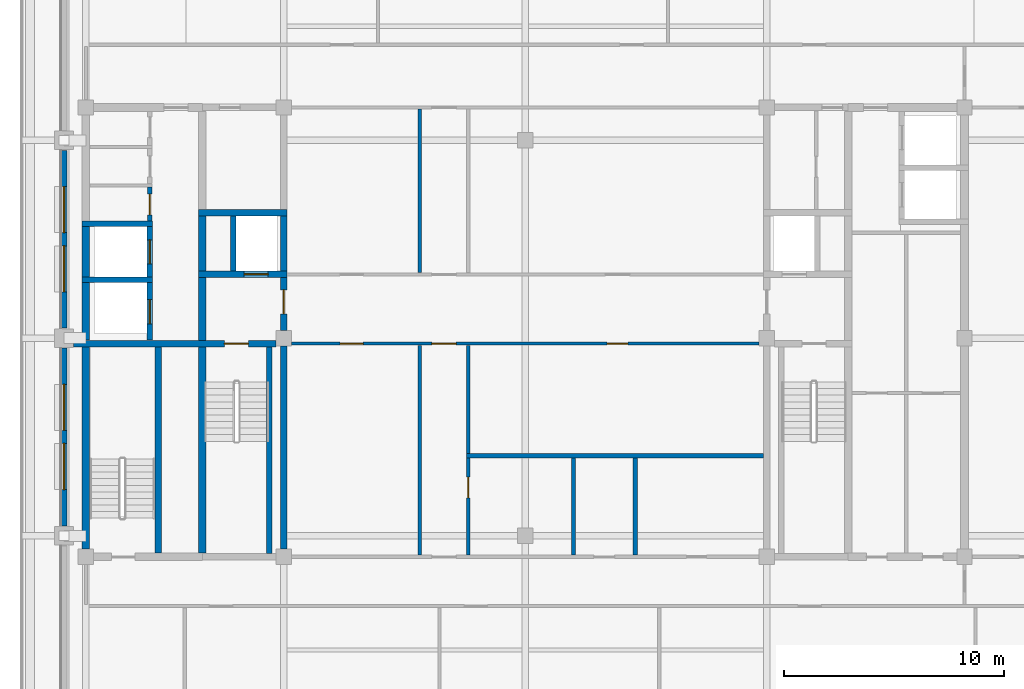
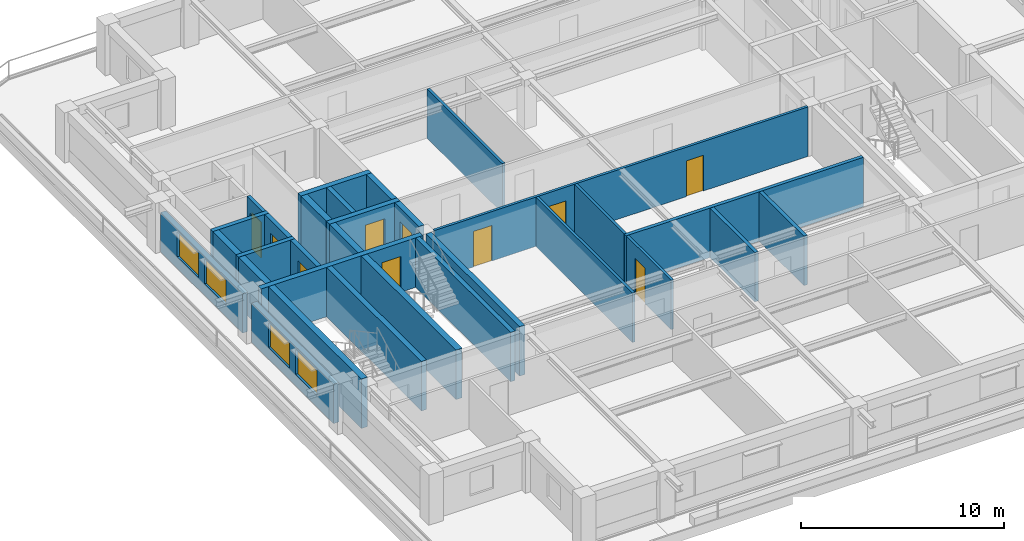
# One storey, part 3 of 11: 30 walls, 10 doors, 4 windows, 14 openings.
"""IFC4 building model written with IfcOpenShell, lengths in metres."""

from ifc_helpers import new_model, si_unit, direction, frame, frame_2d, origin, place, context, subcontext, project, spatial, rectangle, extrude, material, layer, layer_set, type_object, element, fill, save


model = new_model("IFC4")

# Units and contexts
model_context = context("Model", 3, precision=1e-05, world=origin(), true_north=direction((0.0, 1.0)))
body_context = subcontext(model_context, "Body", "Model", "MODEL_VIEW")
ifc_project = project(units=[si_unit("LENGTHUNIT", "METRE"), si_unit("AREAUNIT", "SQUARE_METRE"), si_unit("VOLUMEUNIT", "CUBIC_METRE"), si_unit("PLANEANGLEUNIT", "RADIAN"), si_unit("MASSUNIT", "GRAM", prefix="KILO")], contexts=[model_context])

# Site, building, storey
site_placement = place(None, origin())
site = spatial("IfcSite", under=ifc_project, at=site_placement, CompositionType="ELEMENT")
building_placement = place(site_placement, origin())
building = spatial("IfcBuilding", under=site, at=building_placement, Name="Zulmaris Gate Convention Tower", CompositionType="ELEMENT")
storey_placement = place(building_placement, frame((0.0, 0.0, 230.050048828125)))
storey = spatial("IfcBuildingStorey", under=building, at=storey_placement, Name="L60", CompositionType="ELEMENT", Elevation=230.050048828125)

# Walls
ifc_material_1 = material(Name="Concrete C50/60", Category="concrete")
ifc_layer_1 = layer(ifc_material_1, 0.25, Name="Concrete C50/60")
ifc_layer_set_1 = layer_set([ifc_layer_1], Name="Concrete C50/60")
wall_type_1 = type_object("IfcWallType", Name="CORE-250", PredefinedType="SOLIDWALL", material=ifc_layer_set_1)
for number, where, z_axis, x_axis, name in (
    (1, (-20.175048828125, 2.64990234375, 0.0), (0.0, 0.0, 1.0), (1.0, 0.0, 0.0), "WL-L60-007"),
    (2, (-20.175048828125, 5.199951171875, 0.0), (0.0, 0.0, 1.0), (1.0, 0.0, 0.0), "WL-L60-010"),
):
    element("IfcWall", number, at=place(storey_placement, frame(where, z_axis=z_axis, x_axis=x_axis)), inside=storey, type_object=wall_type_1, Name=name, PredefinedType="SOLIDWALL", context=body_context, shape_type="SweptSolid", body=[
        extrude(rectangle(XDim=3.199951171875, YDim=0.25, at=frame_2d((1.60009765625, 0.0))), origin(), (0.0, 0.0, 1.0), 2.97998046875),
    ])

# Wall, opening, door
wall_1_placement = place(storey_placement, frame((-17.10009765625, -0.097900390625, 0.0), z_axis=(0.0, 0.0, 1.0), x_axis=(0.0, 1.0, 0.0)))
wall_1 = element("IfcWall", 3, at=wall_1_placement, inside=storey, type_object=wall_type_1, Name="WL-L60-036", PredefinedType="SOLIDWALL", context=body_context, shape_type="SweptSolid", body=[
    extrude(rectangle(XDim=2.620849609375, YDim=0.25, at=frame_2d((1.310546875, 0.0))), origin(), (0.0, 0.0, 1.0), 2.97998046875),
])
opening_1_placement = place(wall_1_placement, frame((0.748046875, 0.0, 0.0)))
opening_1 = element("IfcOpeningElement", 4, at=opening_1_placement, cuts=wall_1, Name="Opening D-06", PredefinedType="OPENING", context=body_context, shape_type="SweptSolid", body=[
    extrude(rectangle(XDim=1.10009765625, YDim=2.199951171875, at=frame_2d((0.550048828125, 1.10009765625))), frame((0.0, 0.135009765625, 0.0), z_axis=(0.0, -1.0, 0.0), x_axis=(1.0, 0.0, 0.0)), (0.0, 0.0, 1.0), 0.27001953125),
])
ifc_material_2 = material(Name="Brushed Stainless Steel", Category="steel")
door_type_1 = type_object("IfcDoorType", Name="LD-1100", OperationType="NOTDEFINED", PredefinedType="DOOR", material=ifc_material_2)
door_1_placement = place(opening_1_placement, origin())
door_1 = element("IfcDoor", 5, at=door_1_placement, inside=storey, type_object=door_type_1, Name="L60 Lift Landing Door HP-03 11", OperationType="SLIDING_TO_LEFT", OverallHeight=2.199951171875, OverallWidth=1.10009765625, PredefinedType="DOOR", context=body_context, shape_type="SweptSolid", body=[
    extrude(rectangle(XDim=1.10009765625, YDim=2.199951171875, at=frame_2d((0.550048828125, 1.10009765625))), frame((0.0, 0.02490234375, 0.0), z_axis=(0.0, -1.0, 0.0), x_axis=(1.0, 0.0, 0.0)), (0.0, 0.0, 1.0), 0.050048828125),
])
fill(opening_1, door_1)

wall_2_placement = place(storey_placement, frame((-17.10009765625, 2.777099609375, 0.0), z_axis=(0.0, 0.0, 1.0), x_axis=(0.0, 1.0, 0.0)))
wall_2 = element("IfcWall", 6, at=wall_2_placement, inside=storey, type_object=wall_type_1, Name="WL-L60-037", PredefinedType="SOLIDWALL", context=body_context, shape_type="SweptSolid", body=[
    extrude(rectangle(XDim=2.2958984375, YDim=0.25, at=frame_2d((1.14794921875, 0.0))), origin(), (0.0, 0.0, 1.0), 2.97998046875),
])
opening_2_placement = place(wall_2_placement, frame((0.597900390625, 0.0, 0.0)))
opening_2 = element("IfcOpeningElement", 7, at=opening_2_placement, cuts=wall_2, Name="Opening D-06", PredefinedType="OPENING", context=body_context, shape_type="SweptSolid", body=[
    extrude(rectangle(XDim=1.10009765625, YDim=2.199951171875, at=frame_2d((0.550048828125, 1.10009765625))), frame((0.0, 0.135009765625, 0.0), z_axis=(0.0, -1.0, 0.0), x_axis=(1.0, 0.0, 0.0)), (0.0, 0.0, 1.0), 0.27001953125),
])
door_2_placement = place(opening_2_placement, origin())
door_2 = element("IfcDoor", 8, at=door_2_placement, inside=storey, type_object=door_type_1, Name="L60 Lift Landing Door HP-04 12", OperationType="SLIDING_TO_LEFT", OverallHeight=2.199951171875, OverallWidth=1.10009765625, PredefinedType="DOOR", context=body_context, shape_type="SweptSolid", body=[
    extrude(rectangle(XDim=1.10009765625, YDim=2.199951171875, at=frame_2d((0.550048828125, 1.10009765625))), frame((0.0, 0.02490234375, 0.0), z_axis=(0.0, -1.0, 0.0), x_axis=(1.0, 0.0, 0.0)), (0.0, 0.0, 1.0), 0.050048828125),
])
fill(opening_2, door_2)

# Walls
wall_3_placement = place(storey_placement, frame((-13.300048828125, 3.052001953125, 0.0), z_axis=(0.0, 0.0, 1.0), x_axis=(0.0, 1.0, 0.0)))
element("IfcWall", 9, at=wall_3_placement, inside=storey, type_object=wall_type_1, Name="WL-L60-043", PredefinedType="SOLIDWALL", context=body_context, shape_type="SweptSolid", body=[
    extrude(rectangle(XDim=2.49609375, YDim=0.25, at=frame_2d((1.248046875, 0.0))), origin(), (0.0, 0.0, 1.0), 2.97998046875),
])
wall_4_placement = place(storey_placement, frame((-11.64990234375, -9.798095703125, 0.0), z_axis=(0.0, 0.0, 1.0), x_axis=(0.0, 1.0, 0.0)))
element("IfcWall", 10, at=wall_4_placement, inside=storey, type_object=wall_type_1, Name="WL-L60-044", PredefinedType="SOLIDWALL", context=body_context, shape_type="SweptSolid", body=[
    extrude(rectangle(XDim=9.39599609375, YDim=0.25, at=frame_2d((4.697998046875, 0.0))), origin(), (0.0, 0.0, 1.0), 2.97998046875),
])

# Wall, opening, door
ifc_layer_2 = layer(ifc_material_1, 0.300048828125, Name="Concrete C50/60")
ifc_layer_set_2 = layer_set([ifc_layer_2], Name="Concrete C50/60")
wall_type_2 = type_object("IfcWallType", Name="CORE-300", PredefinedType="SHEAR", material=ifc_layer_set_2)
wall_5_placement = place(storey_placement, frame((-20.571044921875, -0.25, 0.0), z_axis=(0.0, 0.0, 1.0), x_axis=(1.0, 0.0, 0.0)))
wall_5 = element("IfcWall", 11, at=wall_5_placement, inside=storey, type_object=wall_type_2, Name="WL-L60-005", PredefinedType="SHEAR", context=body_context, shape_type="SweptSolid", body=[
    extrude(rectangle(XDim=9.217041015625, YDim=0.300048828125, at=frame_2d((4.6083984375, 0.0))), origin(), (0.0, 0.0, 1.0), 2.97998046875),
])
opening_3_placement = place(wall_5_placement, frame((6.87109375, 0.0, 0.0)))
opening_3 = element("IfcOpeningElement", 12, at=opening_3_placement, cuts=wall_5, Name="Opening D-08", PredefinedType="OPENING", context=body_context, shape_type="SweptSolid", body=[
    extrude(rectangle(XDim=1.10009765625, YDim=2.14990234375, at=frame_2d((0.550048828125, 1.074951171875))), frame((0.0, 0.16015625, 0.0), z_axis=(0.0, -1.0, 0.0), x_axis=(1.0, 0.0, 0.0)), (0.0, 0.0, 1.0), 0.320068359375),
])
ifc_material_3 = material(Name="Fire-Rated Steel", Category="steel")
door_type_2 = type_object("IfcDoorType", Name="DR-1100-FD", OperationType="NOTDEFINED", PredefinedType="DOOR", material=ifc_material_3)
door_3_placement = place(opening_3_placement, origin())
door_3 = element("IfcDoor", 13, at=door_3_placement, inside=storey, type_object=door_type_2, Name="L60 Exit Stair ST-1 Door 01", OperationType="SINGLE_SWING_LEFT", OverallHeight=2.14990234375, OverallWidth=1.10009765625, PredefinedType="DOOR", context=body_context, shape_type="SweptSolid", body=[
    extrude(rectangle(XDim=1.10009765625, YDim=2.14990234375, at=frame_2d((0.550048828125, 1.074951171875))), frame((0.0, 0.02490234375, 0.0), z_axis=(0.0, -1.0, 0.0), x_axis=(1.0, 0.0, 0.0)), (0.0, 0.0, 1.0), 0.050048828125),
])
fill(opening_3, door_3)

wall_6_placement = place(storey_placement, frame((-14.875, 2.89990234375, 0.0), z_axis=(0.0, 0.0, 1.0), x_axis=(1.0, 0.0, 0.0)))
wall_6 = element("IfcWall", 14, at=wall_6_placement, inside=storey, type_object=wall_type_2, Name="WL-L60-008", PredefinedType="SHEAR", context=body_context, shape_type="SweptSolid", body=[
    extrude(rectangle(XDim=4.02490234375, YDim=0.300048828125, at=frame_2d((2.012451171875, 0.0))), origin(), (0.0, 0.0, 1.0), 2.97998046875),
])
opening_4_placement = place(wall_6_placement, frame((2.074951171875, 0.0, 0.0)))
opening_4 = element("IfcOpeningElement", 15, at=opening_4_placement, cuts=wall_6, Name="Opening D-06", PredefinedType="OPENING", context=body_context, shape_type="SweptSolid", body=[
    extrude(rectangle(XDim=1.10009765625, YDim=2.199951171875, at=frame_2d((0.550048828125, 1.10009765625))), frame((0.0, 0.16015625, 0.0), z_axis=(0.0, -1.0, 0.0), x_axis=(1.0, 0.0, 0.0)), (0.0, 0.0, 1.0), 0.320068359375),
])
door_4_placement = place(opening_4_placement, origin())
door_4 = element("IfcDoor", 16, at=door_4_placement, inside=storey, type_object=door_type_1, Name="L60 Lift Landing Door LF-01 03", OperationType="SLIDING_TO_LEFT", OverallHeight=2.199951171875, OverallWidth=1.10009765625, PredefinedType="DOOR", context=body_context, shape_type="SweptSolid", body=[
    extrude(rectangle(XDim=1.10009765625, YDim=2.199951171875, at=frame_2d((0.550048828125, 1.10009765625))), frame((0.0, 0.02490234375, 0.0), z_axis=(0.0, -1.0, 0.0), x_axis=(1.0, 0.0, 0.0)), (0.0, 0.0, 1.0), 0.050048828125),
])
fill(opening_4, door_4)

# Walls
wall_7_placement = place(storey_placement, frame((-14.875, 5.699951171875, 0.0), z_axis=(0.0, 0.0, 1.0), x_axis=(1.0, 0.0, 0.0)))
element("IfcWall", 17, at=wall_7_placement, inside=storey, type_object=wall_type_2, Name="WL-L60-012", PredefinedType="SHEAR", context=body_context, shape_type="SweptSolid", body=[
    extrude(rectangle(XDim=4.02490234375, YDim=0.300048828125, at=frame_2d((2.012451171875, 0.0))), origin(), (0.0, 0.0, 1.0), 2.97998046875),
])
wall_8_placement = place(storey_placement, frame((-16.699951171875, -9.77294921875, 0.0), z_axis=(0.0, 0.0, 1.0), x_axis=(0.0, 1.0, 0.0)))
element("IfcWall", 18, at=wall_8_placement, inside=storey, type_object=wall_type_2, Name="WL-L60-038", PredefinedType="SHEAR", context=body_context, shape_type="SweptSolid", body=[
    extrude(rectangle(XDim=9.370849609375, YDim=0.300048828125, at=frame_2d((4.685546875, 0.0))), origin(), (0.0, 0.0, 1.0), 2.97998046875),
])
wall_9_placement = place(storey_placement, frame((-11.0, -9.595947265625, 0.0), z_axis=(0.0, 0.0, 1.0), x_axis=(0.0, 1.0, 0.0)))
element("IfcWall", 19, at=wall_9_placement, inside=storey, type_object=wall_type_2, Name="WL-L60-045", PredefinedType="SHEAR", context=body_context, shape_type="SweptSolid", body=[
    extrude(rectangle(XDim=9.241943359375, YDim=0.300048828125, at=frame_2d((4.62109375, 0.0))), origin(), (0.0, 0.0, 1.0), 2.97998046875),
])

# Wall, opening, door
wall_10_placement = place(storey_placement, frame((-11.0, 0.35400390625, 0.0), z_axis=(0.0, 0.0, 1.0), x_axis=(0.0, 1.0, 0.0)))
wall_10 = element("IfcWall", 20, at=wall_10_placement, inside=storey, type_object=wall_type_2, Name="WL-L60-046", PredefinedType="SHEAR", context=body_context, shape_type="SweptSolid", body=[
    extrude(rectangle(XDim=2.39404296875, YDim=0.300048828125, at=frame_2d((1.197021484375, 0.0))), origin(), (0.0, 0.0, 1.0), 2.97998046875),
])
opening_5_placement = place(wall_10_placement, frame((0.74609375, 0.0, 0.0)))
opening_5 = element("IfcOpeningElement", 21, at=opening_5_placement, cuts=wall_10, Name="Opening D-08", PredefinedType="OPENING", context=body_context, shape_type="SweptSolid", body=[
    extrude(rectangle(XDim=1.10009765625, YDim=2.14990234375, at=frame_2d((0.550048828125, 1.074951171875))), frame((0.0, 0.16015625, 0.0), z_axis=(0.0, -1.0, 0.0), x_axis=(1.0, 0.0, 0.0)), (0.0, 0.0, 1.0), 0.320068359375),
])
door_5_placement = place(opening_5_placement, origin())
door_5 = element("IfcDoor", 22, at=door_5_placement, inside=storey, type_object=door_type_2, Name="L60 West Firefighting Lobby Door 02", OperationType="SINGLE_SWING_RIGHT", OverallHeight=2.14990234375, OverallWidth=1.10009765625, PredefinedType="DOOR", context=body_context, shape_type="SweptSolid", body=[
    extrude(rectangle(XDim=1.10009765625, YDim=2.14990234375, at=frame_2d((0.550048828125, 1.074951171875))), frame((0.0, 0.02490234375, 0.0), z_axis=(0.0, -1.0, 0.0), x_axis=(1.0, 0.0, 0.0)), (0.0, 0.0, 1.0), 0.050048828125),
])
fill(opening_5, door_5)

# Walls
wall_11_placement = place(storey_placement, frame((-11.0, 3.052001953125, 0.0), z_axis=(0.0, 0.0, 1.0), x_axis=(0.0, 1.0, 0.0)))
element("IfcWall", 23, at=wall_11_placement, inside=storey, type_object=wall_type_2, Name="WL-L60-047", PredefinedType="SHEAR", context=body_context, shape_type="SweptSolid", body=[
    extrude(rectangle(XDim=2.49609375, YDim=0.300048828125, at=frame_2d((1.248046875, 0.0))), origin(), (0.0, 0.0, 1.0), 2.97998046875),
])
ifc_material_4 = material(Name="Concrete C55/67", Category="concrete")
ifc_layer_3 = layer(ifc_material_4, 0.35009765625, Name="Concrete C55/67")
ifc_layer_set_3 = layer_set([ifc_layer_3], Name="Concrete C55/67")
wall_type_3 = type_object("IfcWallType", Name="CORE-350", PredefinedType="SHEAR", material=ifc_layer_set_3)
wall_12_placement = place(storey_placement, frame((-20.0, -9.595947265625, 0.0), z_axis=(0.0, 0.0, 1.0), x_axis=(0.0, 1.0, 0.0)))
element("IfcWall", 24, at=wall_12_placement, inside=storey, type_object=wall_type_3, Name="WL-L60-032", PredefinedType="SHEAR", context=body_context, shape_type="SweptSolid", body=[
    extrude(rectangle(XDim=9.19384765625, YDim=0.35009765625, at=frame_2d((4.596923828125, 0.0))), origin(), (0.0, 0.0, 1.0), 2.97998046875),
])
wall_13_placement = place(storey_placement, frame((-20.0, -0.097900390625, 0.0), z_axis=(0.0, 0.0, 1.0), x_axis=(0.0, 1.0, 0.0)))
element("IfcWall", 25, at=wall_13_placement, inside=storey, type_object=wall_type_3, Name="WL-L60-033", PredefinedType="SHEAR", context=body_context, shape_type="SweptSolid", body=[
    extrude(rectangle(XDim=2.620849609375, YDim=0.35009765625, at=frame_2d((1.310546875, 0.0))), origin(), (0.0, 0.0, 1.0), 2.97998046875),
])
wall_14_placement = place(storey_placement, frame((-20.0, 2.777099609375, 0.0), z_axis=(0.0, 0.0, 1.0), x_axis=(0.0, 1.0, 0.0)))
element("IfcWall", 26, at=wall_14_placement, inside=storey, type_object=wall_type_3, Name="WL-L60-034", PredefinedType="SHEAR", context=body_context, shape_type="SweptSolid", body=[
    extrude(rectangle(XDim=2.2958984375, YDim=0.35009765625, at=frame_2d((1.14794921875, 0.0))), origin(), (0.0, 0.0, 1.0), 2.97998046875),
])
wall_15_placement = place(storey_placement, frame((-14.699951171875, -9.77294921875, 0.0), z_axis=(0.0, 0.0, 1.0), x_axis=(0.0, 1.0, 0.0)))
element("IfcWall", 27, at=wall_15_placement, inside=storey, type_object=wall_type_3, Name="WL-L60-039", PredefinedType="SHEAR", context=body_context, shape_type="SweptSolid", body=[
    extrude(rectangle(XDim=9.370849609375, YDim=0.35009765625, at=frame_2d((4.685546875, 0.0))), origin(), (0.0, 0.0, 1.0), 2.97998046875),
])
wall_16_placement = place(storey_placement, frame((-14.699951171875, -0.097900390625, 0.0), z_axis=(0.0, 0.0, 1.0), x_axis=(0.0, 1.0, 0.0)))
element("IfcWall", 28, at=wall_16_placement, inside=storey, type_object=wall_type_3, Name="WL-L60-040", PredefinedType="SHEAR", context=body_context, shape_type="SweptSolid", body=[
    extrude(rectangle(XDim=2.845947265625, YDim=0.35009765625, at=frame_2d((1.4228515625, 0.0))), origin(), (0.0, 0.0, 1.0), 2.97998046875),
])
wall_17_placement = place(storey_placement, frame((-14.699951171875, 3.052001953125, 0.0), z_axis=(0.0, 0.0, 1.0), x_axis=(0.0, 1.0, 0.0)))
element("IfcWall", 29, at=wall_17_placement, inside=storey, type_object=wall_type_3, Name="WL-L60-041", PredefinedType="SHEAR", context=body_context, shape_type="SweptSolid", body=[
    extrude(rectangle(XDim=2.49609375, YDim=0.35009765625, at=frame_2d((1.248046875, 0.0))), origin(), (0.0, 0.0, 1.0), 2.97998046875),
])

# Wall, openings, doors
ifc_material_5 = material(Name="Gypsum Metal Stud Partition")
ifc_layer_4 = layer(ifc_material_5, 0.14990234375, Name="Gypsum Metal Stud Partition")
ifc_layer_set_4 = layer_set([ifc_layer_4], Name="Gypsum Metal Stud Partition")
wall_type_4 = type_object("IfcWallType", Name="PART-150", PredefinedType="PARTITIONING", material=ifc_layer_set_4)
wall_18_placement = place(storey_placement, frame((-10.64404296875, -0.25, 0.0), z_axis=(0.0, 0.0, 1.0), x_axis=(1.0, 0.0, 0.0)))
wall_18 = element("IfcWall", 30, at=wall_18_placement, inside=storey, type_object=wall_type_4, Name="WL-L60-024", PredefinedType="PARTITIONING", context=body_context, shape_type="SweptSolid", body=[
    extrude(rectangle(XDim=21.2880859375, YDim=0.14990234375, at=frame_2d((10.64404296875, 0.0))), origin(), (0.0, 0.0, 1.0), 2.97998046875),
])
opening_6_placement = place(wall_18_placement, frame((6.39404296875, 0.0, 0.0)))
opening_6 = element("IfcOpeningElement", 31, at=opening_6_placement, cuts=wall_18, Name="Opening D-08", PredefinedType="OPENING", context=body_context, shape_type="SweptSolid", body=[
    extrude(rectangle(XDim=1.10009765625, YDim=2.14990234375, at=frame_2d((0.550048828125, 1.074951171875))), frame((0.0, 0.0849609375, 0.0), z_axis=(0.0, -1.0, 0.0), x_axis=(1.0, 0.0, 0.0)), (0.0, 0.0, 1.0), 0.169921875),
])
opening_7_placement = place(wall_18_placement, frame((2.218994140625, 0.0, 0.0)))
opening_7 = element("IfcOpeningElement", 32, at=opening_7_placement, cuts=wall_18, Name="Opening D-09", PredefinedType="OPENING", context=body_context, shape_type="SweptSolid", body=[
    extrude(rectangle(XDim=1.050048828125, YDim=2.14990234375, at=frame_2d((0.52490234375, 1.074951171875))), frame((0.0, 0.0849609375, 0.0), z_axis=(0.0, -1.0, 0.0), x_axis=(1.0, 0.0, 0.0)), (0.0, 0.0, 1.0), 0.169921875),
])
opening_8_placement = place(wall_18_placement, frame((14.368896484375, 0.0, 0.0)))
opening_8 = element("IfcOpeningElement", 33, at=opening_8_placement, cuts=wall_18, Name="Opening D-11", PredefinedType="OPENING", context=body_context, shape_type="SweptSolid", body=[
    extrude(rectangle(XDim=0.949951171875, YDim=2.14990234375, at=frame_2d((0.47509765625, 1.074951171875))), frame((0.0, 0.0849609375, 0.0), z_axis=(0.0, -1.0, 0.0), x_axis=(1.0, 0.0, 0.0)), (0.0, 0.0, 1.0), 0.169921875),
])
door_type_3 = type_object("IfcDoorType", Name="DR-1050-FD", OperationType="NOTDEFINED", PredefinedType="DOOR", material=ifc_material_3)
door_6_placement = place(opening_7_placement, origin())
door_6 = element("IfcDoor", 34, at=door_6_placement, inside=storey, type_object=door_type_3, Name="L60 Sky Library Door 36", OperationType="SINGLE_SWING_RIGHT", OverallHeight=2.14990234375, OverallWidth=1.050048828125, PredefinedType="DOOR", context=body_context, shape_type="SweptSolid", body=[
    extrude(rectangle(XDim=1.050048828125, YDim=2.14990234375, at=frame_2d((0.52490234375, 1.074951171875))), frame((0.0, 0.02490234375, 0.0), z_axis=(0.0, -1.0, 0.0), x_axis=(1.0, 0.0, 0.0)), (0.0, 0.0, 1.0), 0.050048828125),
])
fill(opening_7, door_6)
door_7_placement = place(opening_6_placement, origin())
door_7 = element("IfcDoor", 35, at=door_7_placement, inside=storey, type_object=door_type_2, Name="L60 Exec Cross South Door 27", OperationType="SINGLE_SWING_LEFT", OverallHeight=2.14990234375, OverallWidth=1.10009765625, PredefinedType="DOOR", context=body_context, shape_type="SweptSolid", body=[
    extrude(rectangle(XDim=1.10009765625, YDim=2.14990234375, at=frame_2d((0.550048828125, 1.074951171875))), frame((0.0, 0.02490234375, 0.0), z_axis=(0.0, -1.0, 0.0), x_axis=(1.0, 0.0, 0.0)), (0.0, 0.0, 1.0), 0.050048828125),
])
fill(opening_6, door_7)
ifc_material_6 = material(Name="Fire-Rated Timber", Category="wood")
door_type_4 = type_object("IfcDoorType", Name="DR-950-FD", OperationType="NOTDEFINED", PredefinedType="DOOR", material=ifc_material_6)
door_8_placement = place(opening_8_placement, origin())
door_8 = element("IfcDoor", 36, at=door_8_placement, inside=storey, type_object=door_type_4, Name="L60 Public WC Door 37", OperationType="SINGLE_SWING_LEFT", OverallHeight=2.14990234375, OverallWidth=0.949951171875, PredefinedType="DOOR", context=body_context, shape_type="SweptSolid", body=[
    extrude(rectangle(XDim=0.949951171875, YDim=2.14990234375, at=frame_2d((0.47509765625, 1.074951171875))), frame((0.0, 0.02490234375, 0.0), z_axis=(0.0, -1.0, 0.0), x_axis=(1.0, 0.0, 0.0)), (0.0, 0.0, 1.0), 0.050048828125),
])
fill(opening_8, door_8)

# Walls
wall_19_placement = place(storey_placement, frame((-4.800048828125, -9.8720703125, 0.0), z_axis=(0.0, 0.0, 1.0), x_axis=(0.0, 1.0, 0.0)))
element("IfcWall", 37, at=wall_19_placement, inside=storey, type_object=wall_type_4, Name="WL-L60-071", PredefinedType="PARTITIONING", context=body_context, shape_type="SweptSolid", body=[
    extrude(rectangle(XDim=9.544189453125, YDim=0.14990234375, at=frame_2d((4.77197265625, 0.0))), origin(), (0.0, 0.0, 1.0), 2.97998046875),
])
wall_20_placement = place(storey_placement, frame((-4.800048828125, 2.97802734375, 0.0), z_axis=(0.0, 0.0, 1.0), x_axis=(0.0, 1.0, 0.0)))
element("IfcWall", 38, at=wall_20_placement, inside=storey, type_object=wall_type_4, Name="WL-L60-072", PredefinedType="PARTITIONING", context=body_context, shape_type="SweptSolid", body=[
    extrude(rectangle(XDim=7.444091796875, YDim=0.14990234375, at=frame_2d((3.72216796875, 0.0))), origin(), (0.0, 0.0, 1.0), 2.97998046875),
])

# Wall, opening, door
wall_21_placement = place(storey_placement, frame((-2.60009765625, -9.8720703125, 0.0), z_axis=(0.0, 0.0, 1.0), x_axis=(0.0, 1.0, 0.0)))
wall_21 = element("IfcWall", 39, at=wall_21_placement, inside=storey, type_object=wall_type_4, Name="WL-L60-074", PredefinedType="PARTITIONING", context=body_context, shape_type="SweptSolid", body=[
    extrude(rectangle(XDim=4.419189453125, YDim=0.14990234375, at=frame_2d((2.20947265625, 0.0))), origin(), (0.0, 0.0, 1.0), 2.97998046875),
])
opening_9_placement = place(wall_21_placement, frame((2.596923828125, 0.0, 0.0)))
opening_9 = element("IfcOpeningElement", 40, at=opening_9_placement, cuts=wall_21, Name="Opening D-11", PredefinedType="OPENING", context=body_context, shape_type="SweptSolid", body=[
    extrude(rectangle(XDim=0.949951171875, YDim=2.14990234375, at=frame_2d((0.47509765625, 1.074951171875))), frame((0.0, 0.0849609375, 0.0), z_axis=(0.0, -1.0, 0.0), x_axis=(1.0, 0.0, 0.0)), (0.0, 0.0, 1.0), 0.169921875),
])
door_9_placement = place(opening_9_placement, origin())
door_9 = element("IfcDoor", 41, at=door_9_placement, inside=storey, type_object=door_type_4, Name="L60 Hygiene Supply Door 38", OperationType="SINGLE_SWING_RIGHT", OverallHeight=2.14990234375, OverallWidth=0.949951171875, PredefinedType="DOOR", context=body_context, shape_type="SweptSolid", body=[
    extrude(rectangle(XDim=0.949951171875, YDim=2.14990234375, at=frame_2d((0.47509765625, 1.074951171875))), frame((0.0, 0.02490234375, 0.0), z_axis=(0.0, -1.0, 0.0), x_axis=(1.0, 0.0, 0.0)), (0.0, 0.0, 1.0), 0.050048828125),
])
fill(opening_9, door_9)

# Walls
wall_22_placement = place(storey_placement, frame((-2.60009765625, -5.2470703125, 0.0), z_axis=(0.0, 0.0, 1.0), x_axis=(0.0, 1.0, 0.0)))
element("IfcWall", 42, at=wall_22_placement, inside=storey, type_object=wall_type_4, Name="WL-L60-075", PredefinedType="PARTITIONING", context=body_context, shape_type="SweptSolid", body=[
    extrude(rectangle(XDim=4.919189453125, YDim=0.14990234375, at=frame_2d((2.45947265625, 0.0))), origin(), (0.0, 0.0, 1.0), 2.97998046875),
])
ifc_material_7 = material(Name="Autoclaved Aerated Concrete Block and Plasterboard", Category="concrete")
ifc_layer_5 = layer(ifc_material_7, 0.199951171875, Name="Autoclaved Aerated Concrete Block and Plasterboard")
ifc_layer_set_5 = layer_set([ifc_layer_5], Name="Autoclaved Aerated Concrete Block and Plasterboard")
wall_type_5 = type_object("IfcWallType", Name="PART-200", PredefinedType="PARTITIONING", material=ifc_layer_set_5)
wall_23_placement = place(storey_placement, frame((-2.675048828125, -5.35009765625, 0.0), z_axis=(0.0, 0.0, 1.0), x_axis=(1.0, 0.0, 0.0)))
element("IfcWall", 43, at=wall_23_placement, inside=storey, type_object=wall_type_5, Name="WL-L60-022", PredefinedType="PARTITIONING", context=body_context, shape_type="SweptSolid", body=[
    extrude(rectangle(XDim=13.52197265625, YDim=0.199951171875, at=frame_2d((6.760986328125, 0.0))), origin(), (0.0, 0.0, 1.0), 2.97998046875),
])

# Wall, opening, door
wall_24_placement = place(storey_placement, frame((-17.10009765625, 5.327880859375, 0.0), z_axis=(0.0, 0.0, 1.0), x_axis=(0.0, 1.0, 0.0)))
wall_24 = element("IfcWall", 44, at=wall_24_placement, inside=storey, type_object=wall_type_5, Name="WL-L60-066", PredefinedType="PARTITIONING", context=body_context, shape_type="SweptSolid", body=[
    extrude(rectangle(XDim=1.544189453125, YDim=0.199951171875, at=frame_2d((0.77197265625, 0.0))), origin(), (0.0, 0.0, 1.0), 2.97998046875),
])
opening_10_placement = place(wall_24_placement, frame((0.277099609375, 0.0, 0.0)))
opening_10 = element("IfcOpeningElement", 45, at=opening_10_placement, cuts=wall_24, Name="Opening D-11", PredefinedType="OPENING", context=body_context, shape_type="SweptSolid", body=[
    extrude(rectangle(XDim=0.949951171875, YDim=2.14990234375, at=frame_2d((0.47509765625, 1.074951171875))), frame((0.0, 0.10986328125, 0.0), z_axis=(0.0, -1.0, 0.0), x_axis=(1.0, 0.0, 0.0)), (0.0, 0.0, 1.0), 0.219970703125),
])
door_10_placement = place(opening_10_placement, origin())
door_10 = element("IfcDoor", 46, at=door_10_placement, inside=storey, type_object=door_type_4, Name="L60 Linen Closet Door 16", OperationType="SINGLE_SWING_RIGHT", OverallHeight=2.14990234375, OverallWidth=0.949951171875, PredefinedType="DOOR", context=body_context, shape_type="SweptSolid", body=[
    extrude(rectangle(XDim=0.949951171875, YDim=2.14990234375, at=frame_2d((0.47509765625, 1.074951171875))), frame((0.0, 0.02490234375, 0.0), z_axis=(0.0, -1.0, 0.0), x_axis=(1.0, 0.0, 0.0)), (0.0, 0.0, 1.0), 0.050048828125),
])
fill(opening_10, door_10)

# Walls
for number, where, z_axis, x_axis, name in (
    (47, (2.199951171875, -9.8720703125, 0.0), (0.0, 0.0, 1.0), (0.0, 1.0, 0.0), "WL-L60-077"),
    (48, (5.0, -9.8720703125, 0.0), (0.0, 0.0, 1.0), (0.0, 1.0, 0.0), "WL-L60-078"),
):
    element("IfcWall", number, at=place(storey_placement, frame(where, z_axis=z_axis, x_axis=x_axis)), inside=storey, type_object=wall_type_5, Name=name, PredefinedType="PARTITIONING", context=body_context, shape_type="SweptSolid", body=[
        extrude(rectangle(XDim=4.419189453125, YDim=0.199951171875, at=frame_2d((2.20947265625, 0.0))), origin(), (0.0, 0.0, 1.0), 2.97998046875),
    ])

# Wall, openings, windows
ifc_material_8 = material(Name="Precast concrete C40/50", Category="concrete")
ifc_layer_6 = layer(ifc_material_8, 0.300048828125, Name="Precast concrete C40/50")
ifc_layer_set_6 = layer_set([ifc_layer_6], Name="Precast concrete C40/50")
wall_type_6 = type_object("IfcWallType", Name="PRECAST-PIER-300", PredefinedType="STANDARD", material=ifc_layer_set_6)
wall_25_placement = place(storey_placement, frame((-21.0, -0.455078125, 0.0), z_axis=(0.0, 0.0, 1.0), x_axis=(0.0, -1.0, 0.0)))
wall_25 = element("IfcWall", 49, at=wall_25_placement, inside=storey, type_object=wall_type_6, Name="EW-L60-W-1_0", PredefinedType="STANDARD", context=body_context, shape_type="SweptSolid", body=[
    extrude(rectangle(XDim=8.08984375, YDim=0.300048828125, at=frame_2d((4.044921875, 0.0))), origin(), (0.0, 0.0, 1.0), 2.3720703125),
])
opening_11_placement = place(wall_25_placement, frame((1.64697265625, 0.0, 0.699951171875)))
opening_11 = element("IfcOpeningElement", 50, at=opening_11_placement, cuts=wall_25, Name="Opening W-05", PredefinedType="OPENING", context=body_context, shape_type="SweptSolid", body=[
    extrude(rectangle(XDim=2.10009765625, YDim=1.5, at=frame_2d((1.050048828125, 0.75))), frame((0.0, 0.16015625, 0.0), z_axis=(0.0, -1.0, 0.0), x_axis=(1.0, 0.0, 0.0)), (0.0, 0.0, 1.0), 0.320068359375),
])
opening_12_placement = place(wall_25_placement, frame((4.343017578125, 0.0, 0.699951171875)))
opening_12 = element("IfcOpeningElement", 51, at=opening_12_placement, cuts=wall_25, Name="Opening W-05", PredefinedType="OPENING", context=body_context, shape_type="SweptSolid", body=[
    extrude(rectangle(XDim=2.10009765625, YDim=1.5, at=frame_2d((1.050048828125, 0.75))), frame((0.0, 0.16015625, 0.0), z_axis=(0.0, -1.0, 0.0), x_axis=(1.0, 0.0, 0.0)), (0.0, 0.0, 1.0), 0.320068359375),
])
ifc_material_9 = material(Name="Low-E Laminated Double Glazing in Aluminium Frame", Category="aluminium")
window_type = type_object("IfcWindowType", Name="WIN-2100x2400", PartitioningType="SINGLE_PANEL", PredefinedType="WINDOW", material=ifc_material_9)
window_1_placement = place(opening_11_placement, origin())
window_1 = element("IfcWindow", 52, at=window_1_placement, inside=storey, type_object=window_type, Name="WN-EW-L60-W-1_0-1", OverallHeight=1.5, OverallWidth=2.10009765625, PartitioningType="SINGLE_PANEL", PredefinedType="WINDOW", context=body_context, shape_type="SweptSolid", body=[
    extrude(rectangle(XDim=2.10009765625, YDim=1.5, at=frame_2d((1.050048828125, 0.75))), frame((0.0, 0.030029296875, 0.0), z_axis=(0.0, -1.0, 0.0), x_axis=(1.0, 0.0, 0.0)), (0.0, 0.0, 1.0), 0.06005859375),
])
fill(opening_11, window_1)
window_2_placement = place(opening_12_placement, origin())
window_2 = element("IfcWindow", 53, at=window_2_placement, inside=storey, type_object=window_type, Name="WN-EW-L60-W-1_0-2", OverallHeight=1.5, OverallWidth=2.10009765625, PartitioningType="SINGLE_PANEL", PredefinedType="WINDOW", context=body_context, shape_type="SweptSolid", body=[
    extrude(rectangle(XDim=2.10009765625, YDim=1.5, at=frame_2d((1.050048828125, 0.75))), frame((0.0, 0.030029296875, 0.0), z_axis=(0.0, -1.0, 0.0), x_axis=(1.0, 0.0, 0.0)), (0.0, 0.0, 1.0), 0.06005859375),
])
fill(opening_12, window_2)

wall_26_placement = place(storey_placement, frame((-21.0, 8.544921875, 0.0), z_axis=(0.0, 0.0, 1.0), x_axis=(0.0, -1.0, 0.0)))
wall_26 = element("IfcWall", 54, at=wall_26_placement, inside=storey, type_object=wall_type_6, Name="EW-L60-W-2_0", PredefinedType="STANDARD", context=body_context, shape_type="SweptSolid", body=[
    extrude(rectangle(XDim=8.08984375, YDim=0.300048828125, at=frame_2d((4.044921875, 0.0))), origin(), (0.0, 0.0, 1.0), 2.3720703125),
])
opening_13_placement = place(wall_26_placement, frame((1.64697265625, 0.0, 0.699951171875)))
opening_13 = element("IfcOpeningElement", 55, at=opening_13_placement, cuts=wall_26, Name="Opening W-05", PredefinedType="OPENING", context=body_context, shape_type="SweptSolid", body=[
    extrude(rectangle(XDim=2.10009765625, YDim=1.5, at=frame_2d((1.050048828125, 0.75))), frame((0.0, 0.16015625, 0.0), z_axis=(0.0, -1.0, 0.0), x_axis=(1.0, 0.0, 0.0)), (0.0, 0.0, 1.0), 0.320068359375),
])
opening_14_placement = place(wall_26_placement, frame((4.343017578125, 0.0, 0.699951171875)))
opening_14 = element("IfcOpeningElement", 56, at=opening_14_placement, cuts=wall_26, Name="Opening W-05", PredefinedType="OPENING", context=body_context, shape_type="SweptSolid", body=[
    extrude(rectangle(XDim=2.10009765625, YDim=1.5, at=frame_2d((1.050048828125, 0.75))), frame((0.0, 0.16015625, 0.0), z_axis=(0.0, -1.0, 0.0), x_axis=(1.0, 0.0, 0.0)), (0.0, 0.0, 1.0), 0.320068359375),
])
window_3_placement = place(opening_13_placement, origin())
window_3 = element("IfcWindow", 57, at=window_3_placement, inside=storey, type_object=window_type, Name="WN-EW-L60-W-2_0-1", OverallHeight=1.5, OverallWidth=2.10009765625, PartitioningType="SINGLE_PANEL", PredefinedType="WINDOW", context=body_context, shape_type="SweptSolid", body=[
    extrude(rectangle(XDim=2.10009765625, YDim=1.5, at=frame_2d((1.050048828125, 0.75))), frame((0.0, 0.030029296875, 0.0), z_axis=(0.0, -1.0, 0.0), x_axis=(1.0, 0.0, 0.0)), (0.0, 0.0, 1.0), 0.06005859375),
])
fill(opening_13, window_3)
window_4_placement = place(opening_14_placement, origin())
window_4 = element("IfcWindow", 58, at=window_4_placement, inside=storey, type_object=window_type, Name="WN-EW-L60-W-2_0-2", OverallHeight=1.5, OverallWidth=2.10009765625, PartitioningType="SINGLE_PANEL", PredefinedType="WINDOW", context=body_context, shape_type="SweptSolid", body=[
    extrude(rectangle(XDim=2.10009765625, YDim=1.5, at=frame_2d((1.050048828125, 0.75))), frame((0.0, 0.030029296875, 0.0), z_axis=(0.0, -1.0, 0.0), x_axis=(1.0, 0.0, 0.0)), (0.0, 0.0, 1.0), 0.06005859375),
])
fill(opening_14, window_4)

save(model, "model.ifc")
